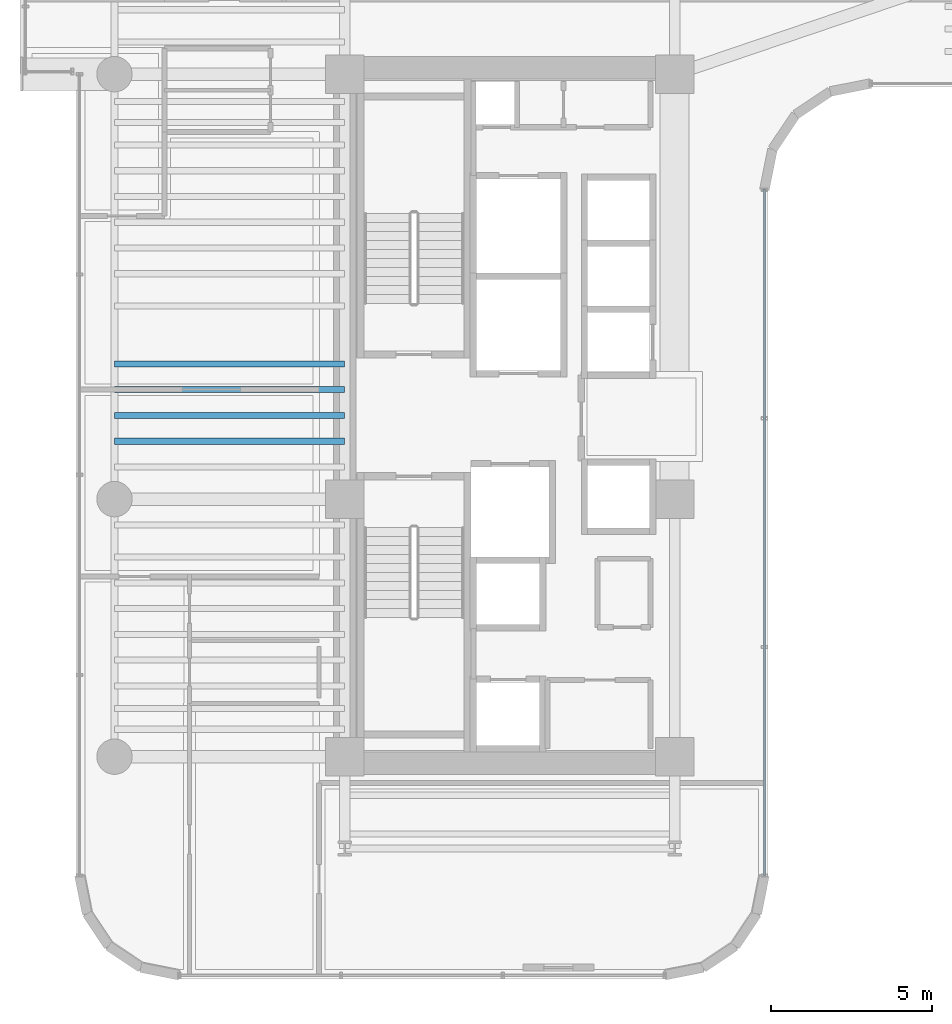
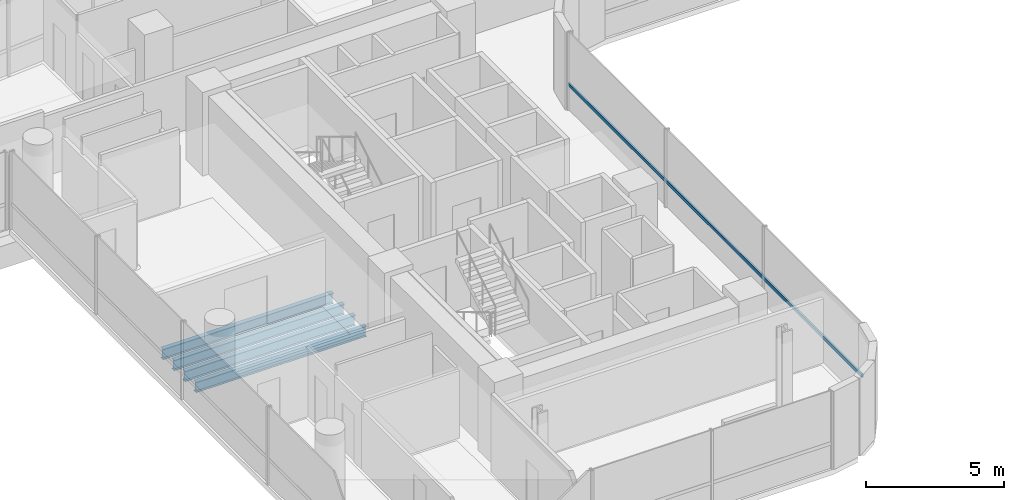
# One storey, part 7 of 35: 4 beams, 1 member, 1 element without a shape of its own.
"""IFC4 building model written with IfcOpenShell, lengths in metres."""

from ifc_helpers import new_model, si_unit, direction, frame, origin, origin_2d, place, context, subcontext, project, spatial, hollow_rectangle, i_section, extrude, source, transform, mapped, material, material_profile, profile_set, type_object, element, aggregate, save


model = new_model("IFC4")

# Units and contexts
model_context = context("Model", 3, precision=1e-05, world=origin(), true_north=direction((0.0, 1.0)))
body_context = subcontext(model_context, "Body", "Model", "MODEL_VIEW")
ifc_project = project(units=[si_unit("LENGTHUNIT", "METRE"), si_unit("AREAUNIT", "SQUARE_METRE"), si_unit("VOLUMEUNIT", "CUBIC_METRE"), si_unit("PLANEANGLEUNIT", "RADIAN"), si_unit("MASSUNIT", "GRAM", prefix="KILO")], contexts=[model_context])

# Site, building, storey
site_placement = place(None, origin())
site = spatial("IfcSite", under=ifc_project, at=site_placement, CompositionType="ELEMENT")
building_placement = place(site_placement, origin())
building = spatial("IfcBuilding", under=site, at=building_placement, Name="Valdorenza Pilgrim Sanctuary Tower", CompositionType="ELEMENT")
storey_placement = place(building_placement, frame((0.0, 0.0, 150.10009765625)))
storey = spatial("IfcBuildingStorey", under=building, at=storey_placement, Name="L38", CompositionType="ELEMENT", Elevation=150.10009765625)

# Beams
ifc_material_1 = material(Name="Steel ASTM A992 Grade 50", Category="steel")
ifc_material_profile_1 = material_profile(ifc_material_1, i_section(OverallWidth=0.19091796875, OverallDepth=0.45703125, WebThickness=0.009033203125, FlangeThickness=0.014404296875, at=origin_2d()), Name="W18X50")
ifc_profile_set_1 = profile_set([ifc_material_profile_1], Name="Steel ASTM A992 Grade 50")
beam_type = type_object("IfcBeamType", Name="STR-BM-JST-W18B", PredefinedType="JOIST", material=ifc_profile_set_1)
shared_shape_1 = source(origin(), body_context, "Body", "SweptSolid", [
    extrude(i_section(OverallWidth=0.19091796875, OverallDepth=0.45703125, WebThickness=0.009033203125, FlangeThickness=0.014404296875, at=origin_2d()), origin(), (0.0, 0.0, 1.0), 7.150146484375),
])
for number, where, z_axis, x_axis, name in (
    (1, (-29.800048828125, -0.800048828125, -0.468505859375), (1.0, 0.0, 0.0), (0.0, 1.0, 0.0), "L38 Composite Floor Joist JST-WA-11"),
    (2, (-29.800048828125, 0.0, -0.468505859375), (1.0, 0.0, 0.0), (0.0, 1.0, 0.0), "L38 Composite Floor Joist JST-WA-12"),
    (3, (-29.800048828125, 0.800048828125, -0.468505859375), (1.0, 0.0, 0.0), (0.0, 1.0, 0.0), "L38 Composite Floor Joist JST-WA-13"),
    (4, (-29.800048828125, 1.60009765625, -0.468505859375), (1.0, 0.0, 0.0), (0.0, 1.0, 0.0), "L38 Composite Floor Joist JST-WA-14"),
):
    element("IfcBeam", number, at=place(storey_placement, frame(where, z_axis=z_axis, x_axis=x_axis)), inside=storey, type_object=beam_type, Name=name, PredefinedType="JOIST", context=body_context, shape_type="MappedRepresentation", body=[
        mapped(shared_shape_1, transform((0.0, 0.0, 0.0), x_axis=(1.0, 0.0, 0.0), y_axis=(0.0, 1.0, 0.0), z_axis=(0.0, 0.0, 1.0), scale=1.0)),
    ])

# Curtain wall, member
ifc_material_2 = material(Name="Curtain-wall IGU glazing", Category="glass")
curtain_wall_type = type_object("IfcCurtainWallType", Name="CW-SYS-02", PredefinedType="NOTDEFINED", material=ifc_material_2)
curtain_wall_placement = place(storey_placement, origin())
curtain_wall = element("IfcCurtainWall", 5, at=curtain_wall_placement, inside=storey, type_object=curtain_wall_type, Name="L38 Curtain Wall CW-L38-1-41", PredefinedType="NOTDEFINED")
ifc_material_3 = material(Name="Anodised aluminium AW-6060", Category="aluminium")
ifc_material_profile_2 = material_profile(ifc_material_3, hollow_rectangle(XDim=0.074951171875, YDim=0.14990234375, WallThickness=0.00390625, at=origin_2d()), Name="ALU-T 150x75x4")
ifc_profile_set_2 = profile_set([ifc_material_profile_2], Name="Anodised aluminium AW-6060")
member_type = type_object("IfcMemberType", Name="CW-TRN-02", PredefinedType="USERDEFINED", material=ifc_profile_set_2)
shared_shape_2 = source(origin(), body_context, "Body", "SweptSolid", [
    extrude(hollow_rectangle(XDim=0.074951171875, YDim=0.14990234375, WallThickness=0.00390625, at=origin_2d()), origin(), (0.0, 0.0, 1.0), 21.300048828125),
])
member_placement = place(storey_placement, frame((-9.610107421875, 7.0107421875, 1.119873046875), z_axis=(0.0, -1.0, 0.0), x_axis=(1.0, 0.0, 0.0)))
member = element("IfcMember", 6, at=member_placement, type_object=member_type, Name="CW-L38-1-41 Transom 1", ObjectType="TRANSOM", PredefinedType="USERDEFINED", context=body_context, shape_type="MappedRepresentation", body=[
    mapped(shared_shape_2, transform((0.0, 0.0, 0.0), x_axis=(1.0, 0.0, 0.0), y_axis=(0.0, 1.0, 0.0), z_axis=(0.0, 0.0, 1.0), scale=1.0)),
])
aggregate(curtain_wall, [member])

save(model, "model.ifc")
